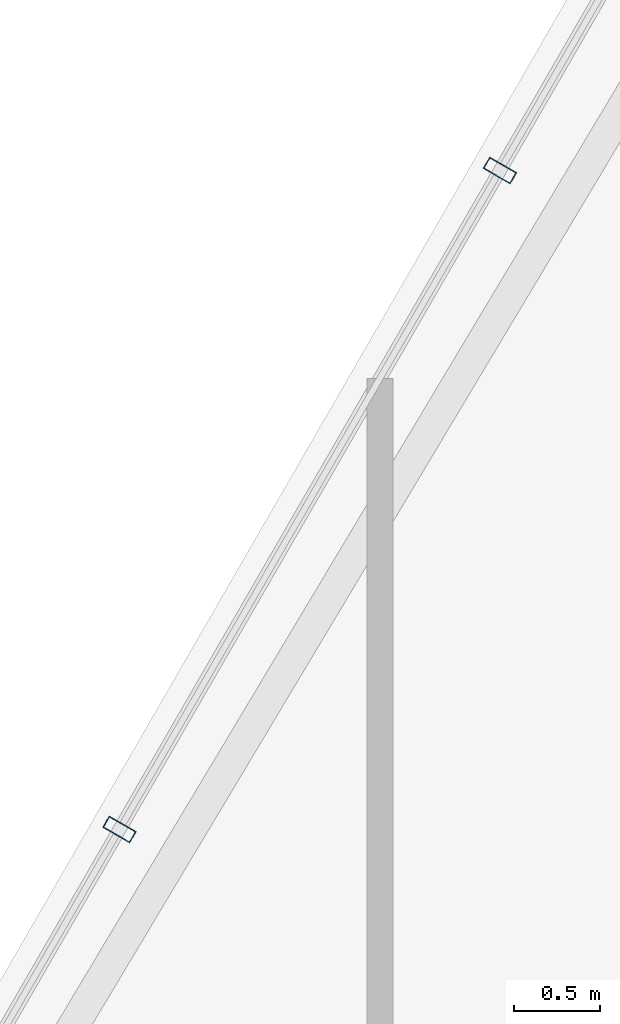
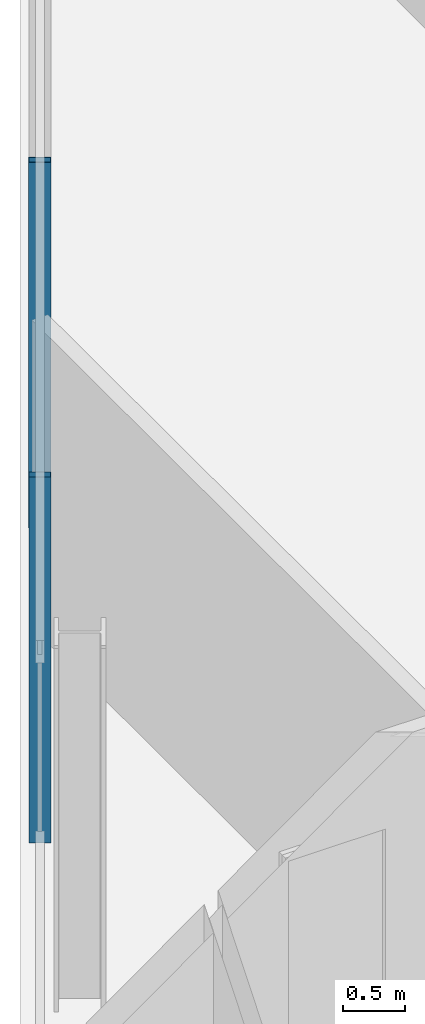
# One storey, part 13 of 32: 2 members, 1 element without a shape of its own.
"""IFC4 building model written with IfcOpenShell, lengths in metres."""

from ifc_helpers import new_model, si_unit, direction, frame, origin, origin_2d, place, context, subcontext, project, spatial, hollow_rectangle, extrude, material, layer, layer_set, material_profile, profile_set, type_object, element, aggregate, save


model = new_model("IFC4")

# Units and contexts
model_context = context("Model", 3, precision=1e-05, world=origin(), true_north=direction((0.0, 1.0)))
body_context = subcontext(model_context, "Body", "Model", "MODEL_VIEW")
ifc_project = project(units=[si_unit("LENGTHUNIT", "METRE"), si_unit("AREAUNIT", "SQUARE_METRE"), si_unit("VOLUMEUNIT", "CUBIC_METRE"), si_unit("PLANEANGLEUNIT", "RADIAN"), si_unit("MASSUNIT", "GRAM", prefix="KILO")], contexts=[model_context])

# Site, building, storey
site_placement = place(None, origin())
site = spatial("IfcSite", under=ifc_project, at=site_placement, CompositionType="ELEMENT")
building_placement = place(site_placement, origin())
building = spatial("IfcBuilding", under=site, at=building_placement, Name="Ndaravel Arena Tower", CompositionType="ELEMENT")
storey_placement = place(building_placement, frame((0.0, 0.0, 256.0)))
storey = spatial("IfcBuildingStorey", under=building, at=storey_placement, Name="L62", CompositionType="ELEMENT", Elevation=256.0)

# Curtain wall, members
ifc_material_1 = material(Name="Aluminium", Category="aluminium")
ifc_layer = layer(ifc_material_1, 0.179931640625)
ifc_layer_set = layer_set([ifc_layer], Name="Aluminium")
curtain_wall_type = type_object("IfcCurtainWallType", Name="CW-SYS-03", PredefinedType="NOTDEFINED", material=ifc_layer_set)
curtain_wall_placement = place(storey_placement, origin())
curtain_wall = element("IfcCurtainWall", 1, at=curtain_wall_placement, inside=storey, type_object=curtain_wall_type, Name="L62 Faceted Crystal Curtain Wall CW-L62-E05", PredefinedType="NOTDEFINED")
ifc_material_2 = material(Name="Aluminium", Category="aluminium")
ifc_material_profile = material_profile(ifc_material_2, hollow_rectangle(XDim=0.074951171875, YDim=0.179931640625, WallThickness=0.00390625, at=origin_2d()), Name="CW MULLION 75x180x4")
ifc_profile_set = profile_set([ifc_material_profile], Name="Aluminium")
member_type = type_object("IfcMemberType", Name="MEM-CW-MUL180", PredefinedType="MULLION", material=ifc_profile_set)
member_1_placement = place(storey_placement, frame((32.38525390625, 33.246337890625, 0.0), z_axis=(0.0, 0.0, 1.0), x_axis=(-0.5, -0.866025403784, 0.0)))
member_1 = element("IfcMember", 2, at=member_1_placement, type_object=member_type, Name="CW-L62-E05 Mullion 03", PredefinedType="MULLION", context=body_context, shape_type="SweptSolid", body=[
    extrude(hollow_rectangle(XDim=0.074951171875, YDim=0.179931640625, WallThickness=0.00390625, at=origin_2d()), origin(), (0.0, 0.0, 1.0), 3.580078125),
])
member_2_placement = place(storey_placement, frame((30.18505859375, 29.435302734375, 0.0), z_axis=(0.0, 0.0, 1.0), x_axis=(-0.5, -0.866025403784, 0.0)))
member_2 = element("IfcMember", 3, at=member_2_placement, type_object=member_type, Name="CW-L62-E05 Mullion 04", PredefinedType="MULLION", context=body_context, shape_type="SweptSolid", body=[
    extrude(hollow_rectangle(XDim=0.074951171875, YDim=0.179931640625, WallThickness=0.00390625, at=origin_2d()), origin(), (0.0, 0.0, 1.0), 3.580078125),
])
aggregate(curtain_wall, [member_1, member_2])

save(model, "model.ifc")
